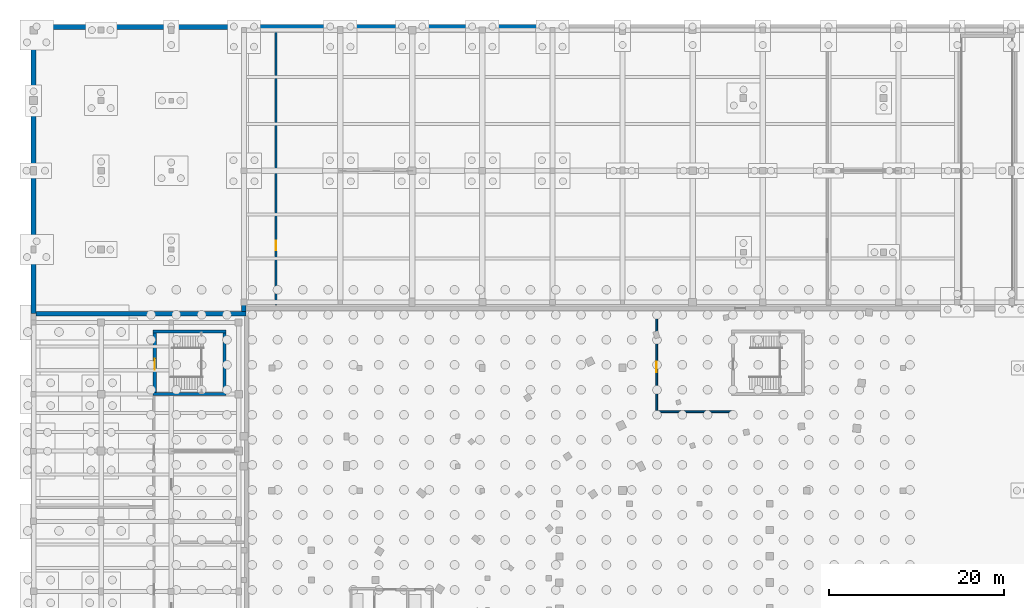
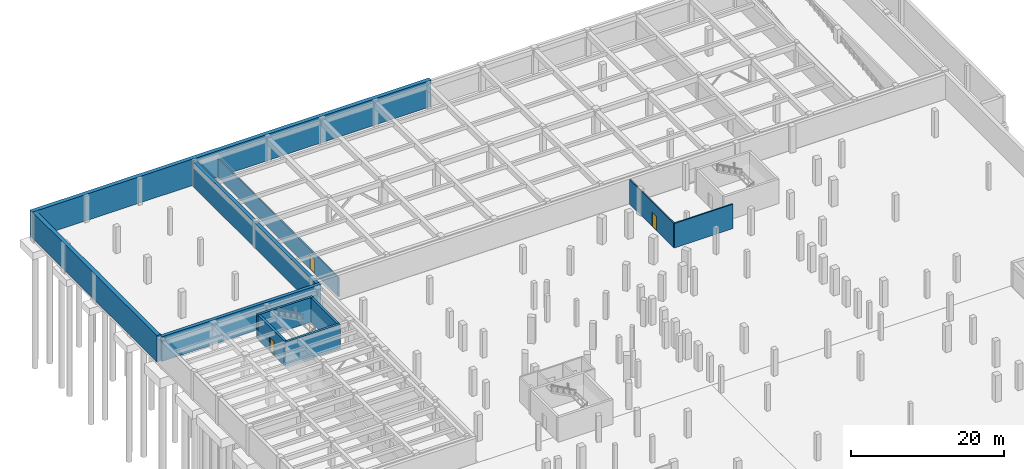
# One storey, part 26 of 36: 11 walls, 3 doors, 3 openings.
"""IFC4 building model written with IfcOpenShell, lengths in metres."""

from ifc_helpers import new_model, si_unit, direction, frame, frame_2d, origin, place, context, subcontext, project, spatial, rectangle, extrude, material, layer, layer_set, type_object, element, fill, save


model = new_model("IFC4")

# Units and contexts
model_context = context("Model", 3, precision=1e-05, world=origin(), true_north=direction((0.0, 1.0)))
body_context = subcontext(model_context, "Body", "Model", "MODEL_VIEW")
ifc_project = project(units=[si_unit("LENGTHUNIT", "METRE"), si_unit("AREAUNIT", "SQUARE_METRE"), si_unit("VOLUMEUNIT", "CUBIC_METRE"), si_unit("PLANEANGLEUNIT", "RADIAN"), si_unit("MASSUNIT", "GRAM", prefix="KILO"), si_unit("THERMODYNAMICTEMPERATUREUNIT", "KELVIN"), si_unit("POWERUNIT", "WATT")], contexts=[model_context])

# Site, building, storey
site_placement = place(None, origin())
site = spatial("IfcSite", under=ifc_project, at=site_placement, CompositionType="ELEMENT")
building_placement = place(site_placement, origin())
building = spatial("IfcBuilding", under=site, at=building_placement, Name="Solvatero Civic Police Headquarters", CompositionType="ELEMENT")
storey_placement = place(building_placement, frame((0.0, 0.0, -8.39990234375)))
storey = spatial("IfcBuildingStorey", under=building, at=storey_placement, Name="B02", CompositionType="ELEMENT", Elevation=-8.39990234375)

# Wall, opening, door
ifc_material_1 = material(Name="Concrete Blockwork", Category="masonry")
ifc_layer_1 = layer(ifc_material_1, 0.199951171875)
ifc_layer_set_1 = layer_set([ifc_layer_1], Name="Concrete Blockwork")
wall_type_1 = type_object("IfcWallType", Name="WL-PTN-200", PredefinedType="PARTITIONING", material=ifc_layer_set_1)
wall_1_placement = place(storey_placement, frame((32.449951171875, 85.199951171875, 0.0), z_axis=(0.0, 0.0, 1.0), x_axis=(0.0, 1.0, 0.0)))
wall_1 = element("IfcWall", 1, at=wall_1_placement, inside=storey, type_object=wall_type_1, Name="Interior Partition WLP-B02-MOT-E", PredefinedType="PARTITIONING", context=body_context, shape_type="SweptSolid", body=[
    extrude(rectangle(XDim=31.300048828125, YDim=0.199951171875, at=frame_2d((15.64990234375, 0.0))), origin(), (0.0, 0.0, 1.0), 3.10791015625),
])
opening_1_placement = place(wall_1_placement, frame((6.199951171875, 0.0, 0.0)))
opening_1 = element("IfcOpeningElement", 2, at=opening_1_placement, cuts=wall_1, Name="Opening ID-09", PredefinedType="OPENING", context=body_context, shape_type="SweptSolid", body=[
    extrude(rectangle(XDim=1.1201171875, YDim=2.199951171875, at=frame_2d((0.56005859375, 1.10009765625))), frame((0.0, 0.10986328125, 0.0), z_axis=(0.0, -1.0, 0.0), x_axis=(1.0, 0.0, 0.0)), (0.0, 0.0, 1.0), 0.219970703125),
])
ifc_material_2 = material(Name="Powder-Coated Steel", Category="steel")
door_type_1 = type_object("IfcDoorType", Name="DR-PLT-112x220", OperationType="NOTDEFINED", PredefinedType="DOOR", material=ifc_material_2)
door_1_placement = place(opening_1_placement, origin())
door_1 = element("IfcDoor", 3, at=door_1_placement, inside=storey, type_object=door_type_1, Name="Interior Door DR-B02-MOT", OperationType="SINGLE_SWING_LEFT", OverallHeight=2.199951171875, OverallWidth=1.1201171875, PredefinedType="DOOR", context=body_context, shape_type="SweptSolid", body=[
    extrude(rectangle(XDim=1.1201171875, YDim=2.199951171875, at=frame_2d((0.56005859375, 1.10009765625))), frame((0.0, 0.02490234375, 0.0), z_axis=(0.0, -1.0, 0.0), x_axis=(1.0, 0.0, 0.0)), (0.0, 0.0, 1.0), 0.050048828125),
])
fill(opening_1, door_1)

wall_2_placement = place(storey_placement, frame((75.89990234375, 73.0, 0.0), z_axis=(0.0, 0.0, 1.0), x_axis=(0.0, 1.0, 0.0)))
wall_2 = element("IfcWall", 4, at=wall_2_placement, inside=storey, type_object=wall_type_1, Name="Interior Partition WLP-B02-C3LOB-W", PredefinedType="PARTITIONING", context=body_context, shape_type="SweptSolid", body=[
    extrude(rectangle(XDim=11.5, YDim=0.199951171875, at=frame_2d((5.75, 0.0))), origin(), (0.0, 0.0, 1.0), 3.89990234375),
])
opening_2_placement = place(wall_2_placement, frame((4.5, 0.0, 0.0)))
opening_2 = element("IfcOpeningElement", 5, at=opening_2_placement, cuts=wall_2, Name="Opening ID-11", PredefinedType="OPENING", context=body_context, shape_type="SweptSolid", body=[
    extrude(rectangle(XDim=1.179931640625, YDim=2.239990234375, at=frame_2d((0.58984375, 1.1201171875))), frame((0.0, 0.10986328125, 0.0), z_axis=(0.0, -1.0, 0.0), x_axis=(1.0, 0.0, 0.0)), (0.0, 0.0, 1.0), 0.219970703125),
])
door_type_2 = type_object("IfcDoorType", Name="DR-COR-118x224", OperationType="NOTDEFINED", PredefinedType="DOOR", material=ifc_material_2)
door_2_placement = place(opening_2_placement, origin())
door_2 = element("IfcDoor", 6, at=door_2_placement, inside=storey, type_object=door_type_2, Name="Interior Door DR-B02-C3LOB", OperationType="SINGLE_SWING_RIGHT", OverallHeight=2.239990234375, OverallWidth=1.179931640625, PredefinedType="DOOR", context=body_context, shape_type="SweptSolid", body=[
    extrude(rectangle(XDim=1.179931640625, YDim=2.239990234375, at=frame_2d((0.58984375, 1.1201171875))), frame((0.0, 0.02490234375, 0.0), z_axis=(0.0, -1.0, 0.0), x_axis=(1.0, 0.0, 0.0)), (0.0, 0.0, 1.0), 0.050048828125),
])
fill(opening_2, door_2)

# Walls
wall_3_placement = place(storey_placement, frame((75.89990234375, 73.0, 0.0), z_axis=(0.0, 0.0, 1.0), x_axis=(1.0, 0.0, 0.0)))
element("IfcWall", 7, at=wall_3_placement, inside=storey, type_object=wall_type_1, Name="Interior Partition WLP-B02-C3LOB-S", PredefinedType="PARTITIONING", context=body_context, shape_type="SweptSolid", body=[
    extrude(rectangle(XDim=8.800048828125, YDim=0.199951171875, at=frame_2d((4.39990234375, 0.0))), origin(), (0.0, 0.0, 1.0), 3.89990234375),
])
ifc_material_3 = material(Name="Concrete C35/45", Category="concrete")
ifc_layer_2 = layer(ifc_material_3, 0.5)
ifc_layer_set_2 = layer_set([ifc_layer_2], Name="Concrete C35/45")
wall_type_2 = type_object("IfcWallType", Name="WL-RET-500", PredefinedType="USERDEFINED", material=ifc_layer_set_2)
wall_4_placement = place(storey_placement, frame((28.800048828125, 84.449951171875, 0.0), z_axis=(0.0, 0.0, 1.0), x_axis=(0.0, 1.0, 0.0)))
element("IfcWall", 8, at=wall_4_placement, inside=storey, type_object=wall_type_2, Name="B02 Watertight Tanked Retaining Wall RW-INT-NW", ObjectType="RETAINING WALL", PredefinedType="USERDEFINED", context=body_context, shape_type="SweptSolid", body=[
    extrude(rectangle(XDim=32.150146484375, YDim=0.5, at=frame_2d((16.0751953125, 0.0))), origin(), (0.0, 0.0, 1.0), 3.919921875),
])
wall_5_placement = place(storey_placement, frame((5.10009765625, 84.199951171875, 0.0), z_axis=(0.0, 0.0, 1.0), x_axis=(1.0, 0.0, 0.0)))
element("IfcWall", 9, at=wall_5_placement, inside=storey, type_object=wall_type_2, Name="B02 Watertight Tanked Retaining Wall RW-INT-WN", ObjectType="RETAINING WALL", PredefinedType="USERDEFINED", context=body_context, shape_type="SweptSolid", body=[
    extrude(rectangle(XDim=23.949951171875, YDim=0.5, at=frame_2d((11.97509765625, 0.0))), origin(), (0.0, 0.0, 1.0), 3.919921875),
])
ifc_layer_3 = layer(ifc_material_3, 0.60009765625)
ifc_layer_set_3 = layer_set([ifc_layer_3], Name="Concrete C35/45")
wall_type_3 = type_object("IfcWallType", Name="WL-RET-600", PredefinedType="USERDEFINED", material=ifc_layer_set_3)
wall_6_placement = place(storey_placement, frame((4.5, 116.89990234375, 0.0), z_axis=(0.0, 0.0, 1.0), x_axis=(1.0, 0.0, 0.0)))
element("IfcWall", 10, at=wall_6_placement, inside=storey, type_object=wall_type_3, Name="B02 Watertight Tanked Retaining Wall RW-PERIM-N1", ObjectType="RETAINING WALL", PredefinedType="USERDEFINED", context=body_context, shape_type="SweptSolid", body=[
    extrude(rectangle(XDim=60.0, YDim=0.60009765625, at=frame_2d((30.0, 0.0))), origin(), (0.0, 0.0, 1.0), 4.199951171875),
])
wall_7_placement = place(storey_placement, frame((4.800048828125, 84.199951171875, 0.0), z_axis=(0.0, 0.0, 1.0), x_axis=(0.0, 1.0, 0.0)))
element("IfcWall", 11, at=wall_7_placement, inside=storey, type_object=wall_type_3, Name="B02 Watertight Tanked Retaining Wall RW-PERIM-W3", ObjectType="RETAINING WALL", PredefinedType="USERDEFINED", context=body_context, shape_type="SweptSolid", body=[
    extrude(rectangle(XDim=32.400146484375, YDim=0.60009765625, at=frame_2d((16.2001953125, 0.0))), origin(), (0.0, 0.0, 1.0), 4.199951171875),
])
ifc_material_4 = material(Name="Concrete C40/50", Category="concrete")
ifc_layer_4 = layer(ifc_material_4, 0.35009765625)
ifc_layer_set_4 = layer_set([ifc_layer_4], Name="Concrete C40/50")
wall_type_4 = type_object("IfcWallType", Name="WL-SHR-350", PredefinedType="SHEAR", material=ifc_layer_set_4)
for number, where, z_axis, x_axis, name in (
    (12, (18.449951171875, 75.02490234375, 0.0), (0.0, 0.0, 1.0), (1.0, 0.0, 0.0), "Core C4 Shear Wall S B02"),
    (13, (18.449951171875, 82.175048828125, 0.0), (0.0, 0.0, 1.0), (1.0, 0.0, 0.0), "Core C4 Shear Wall N B02"),
):
    element("IfcWall", number, at=place(storey_placement, frame(where, z_axis=z_axis, x_axis=x_axis)), inside=storey, type_object=wall_type_4, Name=name, PredefinedType="SHEAR", context=body_context, shape_type="SweptSolid", body=[
        extrude(rectangle(XDim=8.300048828125, YDim=0.35009765625, at=frame_2d((4.14990234375, 0.0))), origin(), (0.0, 0.0, 1.0), 3.919921875),
    ])

# Wall, opening, door
wall_8_placement = place(storey_placement, frame((18.625, 75.199951171875, 0.0), z_axis=(0.0, 0.0, 1.0), x_axis=(0.0, 1.0, 0.0)))
wall_8 = element("IfcWall", 14, at=wall_8_placement, inside=storey, type_object=wall_type_4, Name="Core C4 Shear Wall W B02", PredefinedType="SHEAR", context=body_context, shape_type="SweptSolid", body=[
    extrude(rectangle(XDim=6.800048828125, YDim=0.35009765625, at=frame_2d((3.39990234375, 0.0))), origin(), (0.0, 0.0, 1.0), 3.919921875),
])
opening_3_placement = place(wall_8_placement, frame((2.60009765625, 0.0, 0.0)))
opening_3 = element("IfcOpeningElement", 15, at=opening_3_placement, cuts=wall_8, Name="Opening FD-01", PredefinedType="OPENING", context=body_context, shape_type="SweptSolid", body=[
    extrude(rectangle(XDim=1.25, YDim=2.199951171875, at=frame_2d((0.625, 1.10009765625))), frame((0.0, 0.18505859375, 0.0), z_axis=(0.0, -1.0, 0.0), x_axis=(1.0, 0.0, 0.0)), (0.0, 0.0, 1.0), 0.3701171875),
])
door_type_3 = type_object("IfcDoorType", Name="DR-STR-125x220", OperationType="NOTDEFINED", PredefinedType="DOOR", material=ifc_material_2)
door_3_placement = place(opening_3_placement, origin())
door_3 = element("IfcDoor", 16, at=door_3_placement, inside=storey, type_object=door_type_3, Name="Interior Door DR-STR-C4-B02", OperationType="SINGLE_SWING_LEFT", OverallHeight=2.199951171875, OverallWidth=1.25, PredefinedType="DOOR", context=body_context, shape_type="SweptSolid", body=[
    extrude(rectangle(XDim=1.25, YDim=2.199951171875, at=frame_2d((0.625, 1.10009765625))), frame((0.0, 0.02490234375, 0.0), z_axis=(0.0, -1.0, 0.0), x_axis=(1.0, 0.0, 0.0)), (0.0, 0.0, 1.0), 0.050048828125),
])
fill(opening_3, door_3)

# Wall
wall_9_placement = place(storey_placement, frame((26.574951171875, 75.199951171875, 0.0), z_axis=(0.0, 0.0, 1.0), x_axis=(0.0, 1.0, 0.0)))
element("IfcWall", 17, at=wall_9_placement, inside=storey, type_object=wall_type_4, Name="Core C4 Shear Wall E B02", PredefinedType="SHEAR", context=body_context, shape_type="SweptSolid", body=[
    extrude(rectangle(XDim=6.800048828125, YDim=0.35009765625, at=frame_2d((3.39990234375, 0.0))), origin(), (0.0, 0.0, 1.0), 3.919921875),
])

save(model, "model.ifc")
